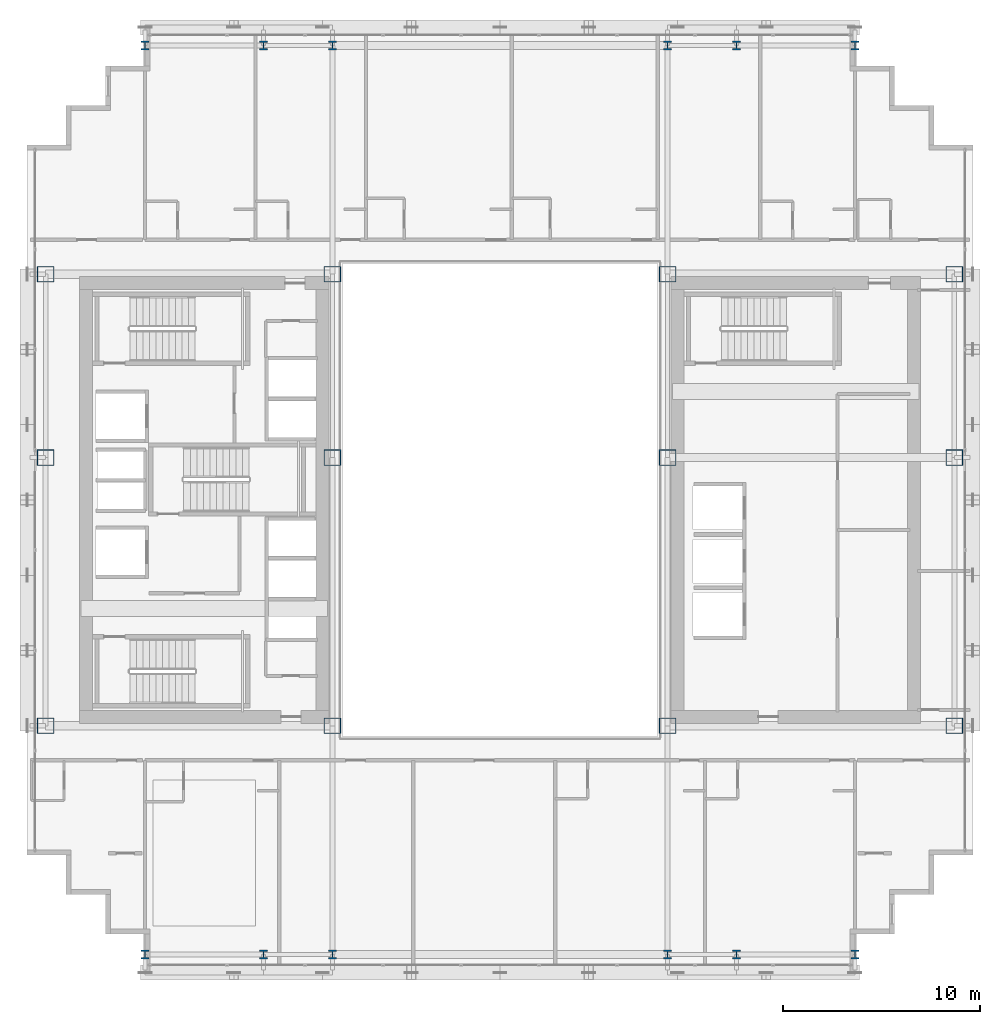
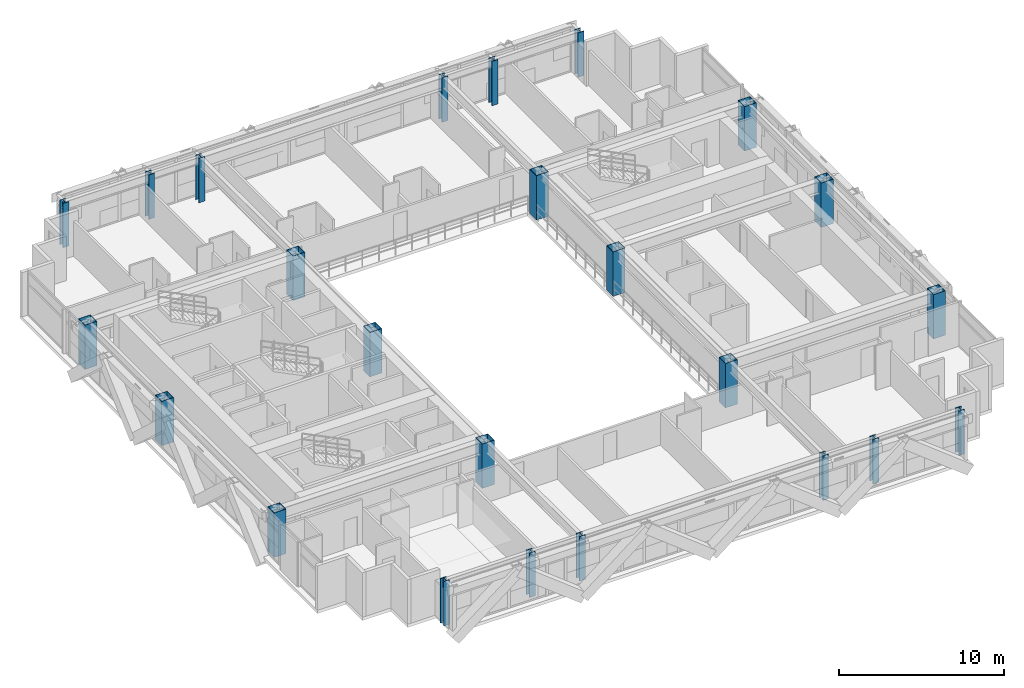
# One storey, part 1 of 36: 24 columns.
"""IFC4 building model written with IfcOpenShell, lengths in metres."""

from ifc_helpers import new_model, si_unit, direction, frame, origin, origin_2d, place, context, subcontext, project, spatial, hollow_rectangle, i_section, extrude, source, transform, mapped, material, material_profile, profile_set, type_object, element, save


model = new_model("IFC4")

# Units and contexts
model_context = context("Model", 3, precision=1e-05, world=origin(), true_north=direction((0.0, 1.0)))
body_context = subcontext(model_context, "Body", "Model", "MODEL_VIEW")
ifc_project = project(units=[si_unit("LENGTHUNIT", "METRE"), si_unit("AREAUNIT", "SQUARE_METRE"), si_unit("VOLUMEUNIT", "CUBIC_METRE"), si_unit("PLANEANGLEUNIT", "RADIAN"), si_unit("MASSUNIT", "GRAM", prefix="KILO")], contexts=[model_context])

# Site, building, storey
site_placement = place(None, origin())
site = spatial("IfcSite", under=ifc_project, at=site_placement, CompositionType="ELEMENT")
building_placement = place(site_placement, origin())
building = spatial("IfcBuilding", under=site, at=building_placement, Name="Ocotamira Hotel", CompositionType="ELEMENT")
storey_placement = place(building_placement, frame((0.0, 0.0, 147.60009765625)))
storey = spatial("IfcBuildingStorey", under=building, at=storey_placement, Name="L37", CompositionType="ELEMENT", Elevation=147.60009765625)

# Columns
ifc_material = material(Name="Steel ASTM A913 Grade 65", Category="steel")
ifc_material_profile_1 = material_profile(ifc_material, hollow_rectangle(XDim=0.85009765625, YDim=0.800048828125, WallThickness=0.031982421875, at=origin_2d()), Name="BOX800X850X32")
ifc_profile_set_1 = profile_set([ifc_material_profile_1], Name="Steel ASTM A913 Grade 65")
column_type_1 = type_object("IfcColumnType", Name="COL-BOX800", PredefinedType="COLUMN", material=ifc_profile_set_1)
shared_shape_1 = source(origin(), body_context, "Body", "SweptSolid", [
    extrude(hollow_rectangle(XDim=0.85009765625, YDim=0.800048828125, WallThickness=0.031982421875, at=origin_2d()), origin(), (0.0, 0.0, 1.0), 3.27978515625),
])
for number, where, z_axis, x_axis, name in (
    (1, (8.949951171875, 14.550048828125, 0.0), (0.0, 0.0, 1.0), (1.0, 0.0, 0.0), "L37 Column TW8_14"),
    (2, (23.5, 14.550048828125, 0.0), (0.0, 0.0, 1.0), (1.0, 0.0, 0.0), "L37 Column TW23_14"),
    (3, (40.5, 14.550048828125, 0.0), (0.0, 0.0, 1.0), (1.0, 0.0, 0.0), "L37 Column TE40_14"),
    (4, (55.050048828125, 14.550048828125, 0.0), (0.0, 0.0, 1.0), (1.0, 0.0, 0.0), "L37 Column TE55_14"),
    (5, (8.949951171875, 28.14990234375, 0.0), (0.0, 0.0, 1.0), (1.0, 0.0, 0.0), "L37 Column TW8_28"),
    (6, (23.5, 28.14990234375, 0.0), (0.0, 0.0, 1.0), (1.0, 0.0, 0.0), "L37 Column TW23_28"),
    (7, (40.5, 28.14990234375, 0.0), (0.0, 0.0, 1.0), (1.0, 0.0, 0.0), "L37 Column TE40_28"),
    (8, (55.050048828125, 28.14990234375, 0.0), (0.0, 0.0, 1.0), (1.0, 0.0, 0.0), "L37 Column TE55_28"),
    (9, (8.949951171875, 37.449951171875, 0.0), (0.0, 0.0, 1.0), (1.0, 0.0, 0.0), "L37 Column TW8_37"),
    (10, (23.5, 37.449951171875, 0.0), (0.0, 0.0, 1.0), (1.0, 0.0, 0.0), "L37 Column TW23_37"),
    (11, (40.5, 37.449951171875, 0.0), (0.0, 0.0, 1.0), (1.0, 0.0, 0.0), "L37 Column TE40_37"),
    (12, (55.050048828125, 37.449951171875, 0.0), (0.0, 0.0, 1.0), (1.0, 0.0, 0.0), "L37 Column TE55_37"),
):
    element("IfcColumn", number, at=place(storey_placement, frame(where, z_axis=z_axis, x_axis=x_axis)), inside=storey, type_object=column_type_1, Name=name, PredefinedType="COLUMN", context=body_context, shape_type="MappedRepresentation", body=[
        mapped(shared_shape_1, transform((0.0, 0.0, 0.0), scale=1.0)),
    ])
ifc_material_profile_2 = material_profile(ifc_material, i_section(OverallWidth=0.412109375, OverallDepth=0.43505859375, WebThickness=0.035888671875, FlangeThickness=0.057373046875, FilletRadius=0.02490234375, at=origin_2d()), Name="W14X311")
ifc_profile_set_2 = profile_set([ifc_material_profile_2], Name="Steel ASTM A913 Grade 65")
column_type_2 = type_object("IfcColumnType", Name="COL-W14X311", PredefinedType="COLUMN", material=ifc_profile_set_2)
shared_shape_2 = source(origin(), body_context, "Body", "SweptSolid", [
    extrude(i_section(OverallWidth=0.412109375, OverallDepth=0.43505859375, WebThickness=0.035888671875, FlangeThickness=0.057373046875, FilletRadius=0.02490234375, at=origin_2d()), origin(), (0.0, 0.0, 1.0), 3.27978515625),
])
for number, where, z_axis, x_axis, name in (
    (13, (14.0, 2.949951171875, 0.0), (0.0, 0.0, 1.0), (1.0, 0.0, 0.0), "L37 Column NSP1_14"),
    (14, (20.0, 2.949951171875, 0.0), (0.0, 0.0, 1.0), (1.0, 0.0, 0.0), "L37 Column NSP1_20"),
    (15, (23.5, 2.949951171875, 0.0), (0.0, 0.0, 1.0), (1.0, 0.0, 0.0), "L37 Column NSP1_23"),
    (16, (40.5, 2.949951171875, 0.0), (0.0, 0.0, 1.0), (1.0, 0.0, 0.0), "L37 Column NSP1_40"),
    (17, (44.0, 2.949951171875, 0.0), (0.0, 0.0, 1.0), (1.0, 0.0, 0.0), "L37 Column NSP1_44"),
    (18, (50.0, 2.949951171875, 0.0), (0.0, 0.0, 1.0), (1.0, 0.0, 0.0), "L37 Column NSP1_50"),
    (19, (14.0, 49.050048828125, 0.0), (0.0, 0.0, 1.0), (1.0, 0.0, 0.0), "L37 Column NSP2_14"),
    (20, (20.0, 49.050048828125, 0.0), (0.0, 0.0, 1.0), (1.0, 0.0, 0.0), "L37 Column NSP2_20"),
    (21, (23.5, 49.050048828125, 0.0), (0.0, 0.0, 1.0), (1.0, 0.0, 0.0), "L37 Column NSP2_23"),
    (22, (40.5, 49.050048828125, 0.0), (0.0, 0.0, 1.0), (1.0, 0.0, 0.0), "L37 Column NSP2_40"),
    (23, (44.0, 49.050048828125, 0.0), (0.0, 0.0, 1.0), (1.0, 0.0, 0.0), "L37 Column NSP2_44"),
    (24, (50.0, 49.050048828125, 0.0), (0.0, 0.0, 1.0), (1.0, 0.0, 0.0), "L37 Column NSP2_50"),
):
    element("IfcColumn", number, at=place(storey_placement, frame(where, z_axis=z_axis, x_axis=x_axis)), inside=storey, type_object=column_type_2, Name=name, PredefinedType="COLUMN", context=body_context, shape_type="MappedRepresentation", body=[
        mapped(shared_shape_2, transform((0.0, 0.0, 0.0), scale=1.0)),
    ])

save(model, "model.ifc")
